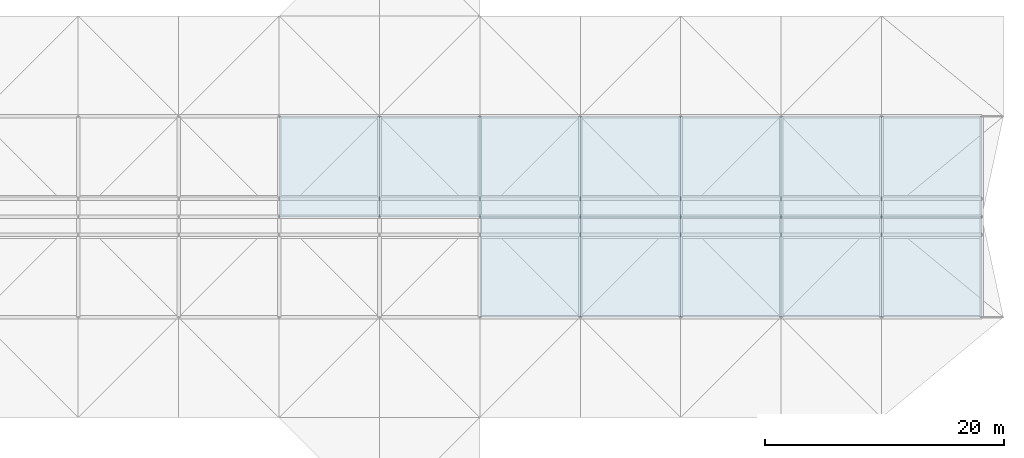
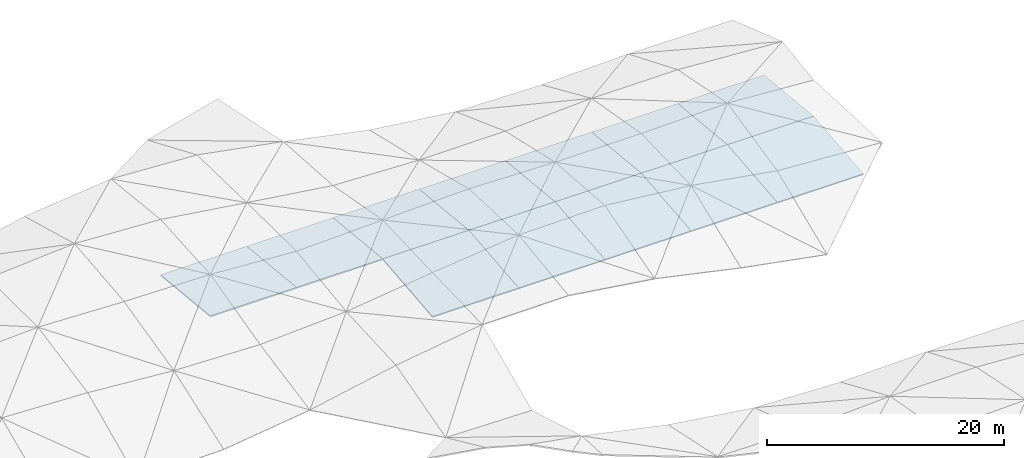
# One storey, part 3 of 46: 12 slabs.
"""IFC4 building model written with IfcOpenShell, lengths in metres."""

from ifc_helpers import new_model, si_unit, direction, frame, origin, place, context, subcontext, project, spatial, polyline, outline, extrude, material, layer, layer_set, type_object, element, save


model = new_model("IFC4")

# Units and contexts
model_context = context("Model", 3, precision=1e-05, world=origin(), true_north=direction((0.0, 1.0)))
body_context = subcontext(model_context, "Body", "Model", "MODEL_VIEW")
ifc_project = project(units=[si_unit("LENGTHUNIT", "METRE"), si_unit("AREAUNIT", "SQUARE_METRE"), si_unit("VOLUMEUNIT", "CUBIC_METRE"), si_unit("PLANEANGLEUNIT", "RADIAN"), si_unit("MASSUNIT", "GRAM", prefix="KILO")], contexts=[model_context])

# Site, building, storey
site_placement = place(None, origin())
site = spatial("IfcSite", under=ifc_project, at=site_placement, CompositionType="ELEMENT")
building_placement = place(site_placement, origin())
building = spatial("IfcBuilding", under=site, at=building_placement, Name="Rain Tree Exposition and Congress Centre", CompositionType="ELEMENT")
storey_placement = place(building_placement, frame((0.0, 0.0, 27.0)))
storey = spatial("IfcBuildingStorey", under=building, at=storey_placement, Name="ROOF VAULT CREST", CompositionType="ELEMENT", Elevation=27.0)

# Slabs
ifc_material = material(Name="Insulated roof panel, S350GD+Z steel skins", Category="steel")
ifc_layer = layer(ifc_material, 0.1201171875)
ifc_layer_set = layer_set([ifc_layer], Name="Insulated roof panel, S350GD+Z steel skins")
slab_type = type_object("IfcSlabType", Name="Vault roof panel 120", PredefinedType="ROOF", material=ifc_layer_set)
for number, where, z_axis, x_axis, name in (
    (1, (201.60009765625, 168.0, 0.551025390625), (0.0, -0.100545836468, 0.994932427238), (1.0, 0.0, 0.0), "Vault roof panel 104"),
    (2, (210.0, 168.0, 0.551025390625), (0.0, -0.100545836468, 0.994932427238), (1.0, 0.0, 0.0), "Vault roof panel 105"),
):
    element("IfcSlab", number, at=place(storey_placement, frame(where, z_axis=z_axis, x_axis=x_axis)), inside=storey, type_object=slab_type, Name=name, PredefinedType="ROOF", context=body_context, shape_type="SweptSolid", body=[
        extrude(outline(polyline([(0.0, 0.0), (8.39990234375, 0.0), (8.39990234375, 8.442686270736555), (0.0, 8.442686270736555), (0.0, 0.0)])), origin(), (0.0, 0.0, -1.0), 0.1201171875),
    ])
slab_1_placement = place(storey_placement, frame((218.39990234375, 168.0, 0.551025390625), z_axis=(0.0, -0.100545836468, 0.994932427238), x_axis=(1.0, 0.0, 0.0)))
element("IfcSlab", 3, at=slab_1_placement, inside=storey, type_object=slab_type, Name="Vault roof panel 106", PredefinedType="ROOF", context=body_context, shape_type="SweptSolid", body=[
    extrude(outline(polyline([(0.0, 0.0), (8.400146484375, 0.0), (8.400146484375, 8.442686270736555), (0.0, 8.442686270736555), (0.0, 0.0)])), origin(), (0.0, 0.0, -1.0), 0.1201171875),
])
slab_2_placement = place(storey_placement, frame((226.800048828125, 168.0, 0.551025390625), z_axis=(0.0, -0.100545836468, 0.994932427238), x_axis=(1.0, 0.0, 0.0)))
element("IfcSlab", 4, at=slab_2_placement, inside=storey, type_object=slab_type, Name="Vault roof panel 107", PredefinedType="ROOF", context=body_context, shape_type="SweptSolid", body=[
    extrude(outline(polyline([(0.0, 0.0), (8.39990234375, 0.0), (8.39990234375, 8.442686270736555), (0.0, 8.442686270736555), (0.0, 0.0)])), origin(), (0.0, 0.0, -1.0), 0.1201171875),
])
slab_3_placement = place(storey_placement, frame((235.199951171875, 168.0, 0.551025390625), z_axis=(0.0, -0.100545836468, 0.994932427238), x_axis=(1.0, 0.0, 0.0)))
element("IfcSlab", 5, at=slab_3_placement, inside=storey, type_object=slab_type, Name="Vault roof panel 108", PredefinedType="ROOF", context=body_context, shape_type="SweptSolid", body=[
    extrude(outline(polyline([(0.0, 0.0), (8.400146484375, 0.0), (8.400146484375, 8.442686270736555), (0.0, 8.442686270736555), (0.0, 0.0)])), origin(), (0.0, 0.0, -1.0), 0.1201171875),
])
slab_4_placement = place(storey_placement, frame((184.800048828125, 176.39990234375, 1.39990234375), z_axis=(0.0, 0.100542943759, 0.994932719565), x_axis=(1.0, 0.0, 0.0)))
element("IfcSlab", 6, at=slab_4_placement, inside=storey, type_object=slab_type, Name="Vault roof panel 114", PredefinedType="ROOF", context=body_context, shape_type="SweptSolid", body=[
    extrude(outline(polyline([(0.0, 0.0), (8.39990234375, 0.0), (8.39990234375, 8.442929174196857), (0.0, 8.442929174196857), (0.0, 0.0)])), origin(), (0.0, 0.0, -1.0), 0.1201171875),
])
slab_5_placement = place(storey_placement, frame((193.199951171875, 176.39990234375, 1.39990234375), z_axis=(0.0, 0.100542943759, 0.994932719565), x_axis=(1.0, 0.0, 0.0)))
element("IfcSlab", 7, at=slab_5_placement, inside=storey, type_object=slab_type, Name="Vault roof panel 115", PredefinedType="ROOF", context=body_context, shape_type="SweptSolid", body=[
    extrude(outline(polyline([(0.0, 0.0), (8.400146484375, 0.0), (8.400146484375, 8.442929174196857), (0.0, 8.442929174196857), (0.0, 0.0)])), origin(), (0.0, 0.0, -1.0), 0.1201171875),
])
for number, where, z_axis, x_axis, name in (
    (8, (201.60009765625, 176.39990234375, 1.39990234375), (0.0, 0.100542943759, 0.994932719565), (1.0, 0.0, 0.0), "Vault roof panel 116"),
    (9, (210.0, 176.39990234375, 1.39990234375), (0.0, 0.100542943759, 0.994932719565), (1.0, 0.0, 0.0), "Vault roof panel 117"),
):
    element("IfcSlab", number, at=place(storey_placement, frame(where, z_axis=z_axis, x_axis=x_axis)), inside=storey, type_object=slab_type, Name=name, PredefinedType="ROOF", context=body_context, shape_type="SweptSolid", body=[
        extrude(outline(polyline([(0.0, 0.0), (8.39990234375, 0.0), (8.39990234375, 8.442929174196857), (0.0, 8.442929174196857), (0.0, 0.0)])), origin(), (0.0, 0.0, -1.0), 0.1201171875),
    ])
slab_6_placement = place(storey_placement, frame((218.39990234375, 176.39990234375, 1.39990234375), z_axis=(0.0, 0.100542943759, 0.994932719565), x_axis=(1.0, 0.0, 0.0)))
element("IfcSlab", 10, at=slab_6_placement, inside=storey, type_object=slab_type, Name="Vault roof panel 118", PredefinedType="ROOF", context=body_context, shape_type="SweptSolid", body=[
    extrude(outline(polyline([(0.0, 0.0), (8.400146484375, 0.0), (8.400146484375, 8.442929174196857), (0.0, 8.442929174196857), (0.0, 0.0)])), origin(), (0.0, 0.0, -1.0), 0.1201171875),
])
slab_7_placement = place(storey_placement, frame((226.800048828125, 176.39990234375, 1.39990234375), z_axis=(0.0, 0.100542943759, 0.994932719565), x_axis=(1.0, 0.0, 0.0)))
element("IfcSlab", 11, at=slab_7_placement, inside=storey, type_object=slab_type, Name="Vault roof panel 119", PredefinedType="ROOF", context=body_context, shape_type="SweptSolid", body=[
    extrude(outline(polyline([(0.0, 0.0), (8.39990234375, 0.0), (8.39990234375, 8.442929174196857), (0.0, 8.442929174196857), (0.0, 0.0)])), origin(), (0.0, 0.0, -1.0), 0.1201171875),
])
slab_8_placement = place(storey_placement, frame((235.199951171875, 176.39990234375, 1.39990234375), z_axis=(0.0, 0.100542943759, 0.994932719565), x_axis=(1.0, 0.0, 0.0)))
element("IfcSlab", 12, at=slab_8_placement, inside=storey, type_object=slab_type, Name="Vault roof panel 120", PredefinedType="ROOF", context=body_context, shape_type="SweptSolid", body=[
    extrude(outline(polyline([(0.0, 0.0), (8.400146484375, 0.0), (8.400146484375, 8.442929174196857), (0.0, 8.442929174196857), (0.0, 0.0)])), origin(), (0.0, 0.0, -1.0), 0.1201171875),
])

save(model, "model.ifc")
